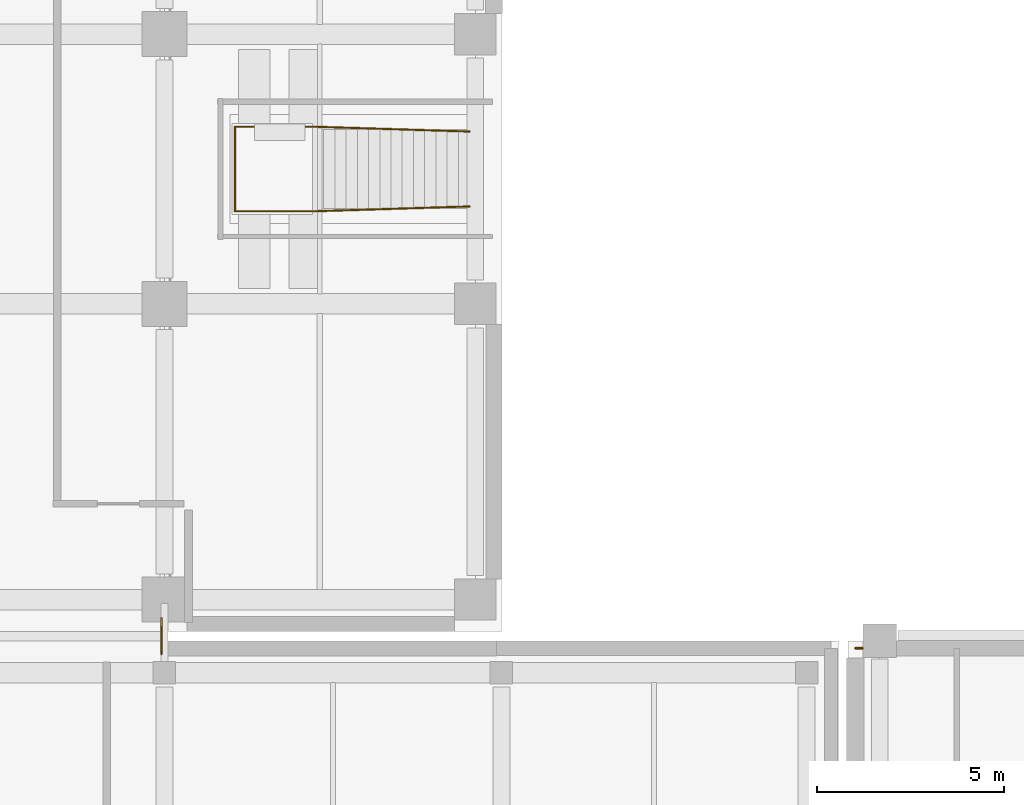
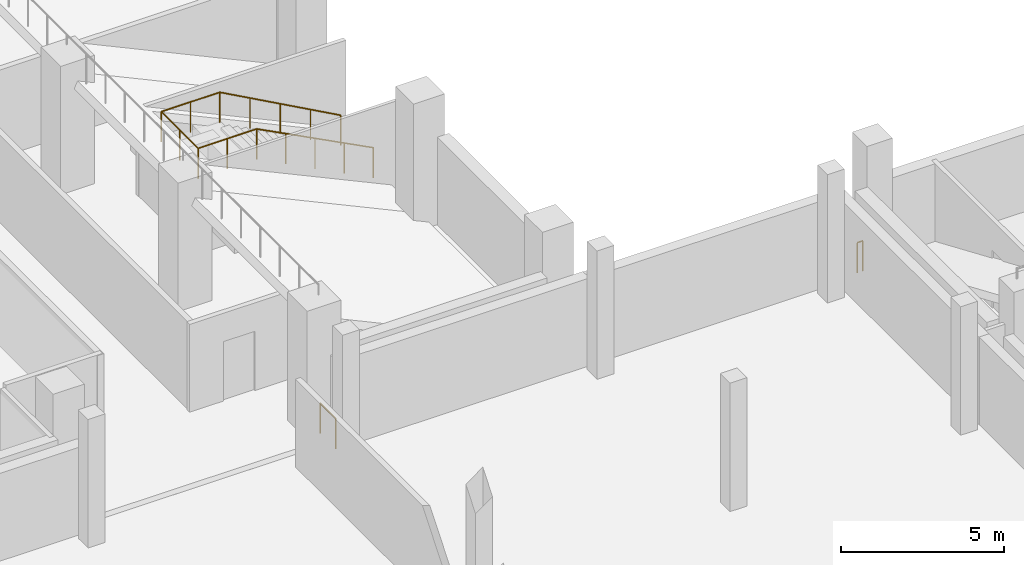
# One storey, part 78 of 100: 3 railings.
"""IFC4 building model written with IfcOpenShell, lengths in metres."""

import ifcopenshell
import ifcopenshell.guid

model = None  # the IFC model being written
_history = None  # IfcOwnerHistory: only IFC2X3 demands one
_inside = {}  # id of a spatial element -> (the spatial element, [elements in it])
_under = {}  # id of a project, library or spatial element -> (it, [spatial elements below it])
_declared = {}  # id of a project -> (the project, [libraries it declares])
_typed = {}  # id of a type object -> (the type object, [elements of that type])
_made_of = {}  # id of a material, layer set ... -> (it, [elements and type objects made of it])


def new_model(schema):
    """Start an empty IFC model of exactly this schema.

    Asked for "IFC4X3", IfcOpenShell would pick the latest addendum, in which some entities
    have other attributes; the version numbers below select the first issue.
    IFC2X3 requires an IfcOwnerHistory on every rooted entity: one is made here for all.
    """
    global model, _history
    if schema == "IFC4X3":
        model = ifcopenshell.file(schema_version=(4, 3, 0, 0))
    else:
        model = ifcopenshell.file(schema=schema)
    _inside.clear()
    _under.clear()
    _declared.clear()
    _typed.clear()
    _made_of.clear()
    _history = None
    if model.schema == "IFC2X3":
        org = make("IfcOrganization", Name="unknown")
        user = make(
            "IfcPersonAndOrganization",
            ThePerson=make("IfcPerson", FamilyName="unknown"),
            TheOrganization=org,
        )
        app = make(
            "IfcApplication",
            ApplicationDeveloper=org,
            Version="unknown",
            ApplicationFullName="unknown",
            ApplicationIdentifier="unknown",
        )
        _history = make(
            "IfcOwnerHistory",
            OwningUser=user,
            OwningApplication=app,
            ChangeAction="ADDED",
            CreationDate=0,
        )
    return model


def make(cls, **values):
    """One entity of the class cls with the attributes given. An attribute that is None is left unset."""
    return model.create_entity(
        cls, **{name: value for name, value in values.items() if value is not None}
    )


def rooted(cls, **values):
    """An entity with a GlobalId (a new one), such as an element, a storey or a relation."""
    return make(cls, GlobalId=ifcopenshell.guid.new(), OwnerHistory=_history, **values)


def si_unit(unit_type, name, prefix=None):
    """IfcSIUnit, for example si_unit("LENGTHUNIT", "METRE", prefix="MILLI")."""
    return make("IfcSIUnit", UnitType=unit_type, Prefix=prefix, Name=name)


def assignment(units):
    """IfcUnitAssignment: the units of a project."""
    return None if units is None else make("IfcUnitAssignment", Units=units)


def point(xyz):
    """IfcCartesianPoint."""
    return None if xyz is None else make("IfcCartesianPoint", Coordinates=xyz)


def direction(xyz):
    """IfcDirection."""
    return None if xyz is None else make("IfcDirection", DirectionRatios=xyz)


def frame(location, z_axis=None, x_axis=None):
    """IfcAxis2Placement3D, a coordinate frame: its origin and axes. An axis left out is left unset."""
    return make(
        "IfcAxis2Placement3D",
        Location=point(location),
        Axis=direction(z_axis),
        RefDirection=direction(x_axis),
    )


def frame_2d(location, x_axis=None):
    """IfcAxis2Placement2D, a coordinate frame in the plane: its origin and x axis."""
    return make(
        "IfcAxis2Placement2D", Location=point(location), RefDirection=direction(x_axis)
    )


def origin():
    """The frame at (0, 0, 0) with its axes left unset."""
    return frame((0.0, 0.0, 0.0))


def origin_2d():
    """The frame at (0, 0) in the plane with its x axis left unset."""
    return frame_2d((0.0, 0.0))


def place(relative_to, where):
    """IfcLocalPlacement: puts the frame where relative to a parent placement (None: the world)."""
    return make(
        "IfcLocalPlacement", PlacementRelTo=relative_to, RelativePlacement=where
    )


def context(
    kind, dimensions, precision=None, world=None, true_north=None, identifier=None
):
    """IfcGeometricRepresentationContext, for example the 3D "Model" context."""
    return make(
        "IfcGeometricRepresentationContext",
        ContextIdentifier=identifier,
        ContextType=kind,
        CoordinateSpaceDimension=dimensions,
        Precision=precision,
        WorldCoordinateSystem=world,
        TrueNorth=true_north,
    )


def subcontext(parent, identifier, kind, view, scale=None):
    """IfcGeometricRepresentationSubContext, for example "Body" below "Model"."""
    return make(
        "IfcGeometricRepresentationSubContext",
        ContextIdentifier=identifier,
        ContextType=kind,
        ParentContext=parent,
        TargetScale=scale,
        TargetView=view,
    )


def project(units=None, contexts=None):
    """IfcProject with its units and contexts."""
    return rooted(
        "IfcProject",
        Name="project",
        RepresentationContexts=contexts,
        UnitsInContext=assignment(units),
    )


def spatial(cls, under=None, at=None, **own):
    """A site, building, storey or space (cls), placed at a placement, below another one or the project."""
    s = rooted(cls, ObjectPlacement=at, **own)
    if under is not None:
        _under.setdefault(under.id(), (under, []))[1].append(s)
    return s


def profile(cls, at=None, kind="AREA", **sizes):
    """A parametric profile (cls). Its sizes go by their IFC names, for example OverallWidth=200.0."""
    return make(cls, ProfileType=kind, Position=at, **sizes)


def circle(**sizes):
    """IfcCircleProfileDef."""
    return profile("IfcCircleProfileDef", **sizes)


def extrude(swept, where, along, depth):
    """IfcExtrudedAreaSolid: the profile swept, set in the frame where, extruded along a direction by depth."""
    return make(
        "IfcExtrudedAreaSolid",
        SweptArea=swept,
        Position=where,
        ExtrudedDirection=direction(along),
        Depth=depth,
    )


def shape(context_of_items, identifier, shape_type, items):
    """IfcShapeRepresentation: the items that make up one representation, for example the "Body"."""
    return make(
        "IfcShapeRepresentation",
        ContextOfItems=context_of_items,
        RepresentationIdentifier=identifier,
        RepresentationType=shape_type,
        Items=items,
    )


def material(Name=None, Category=None):
    """IfcMaterial."""
    return make("IfcMaterial", Name=Name, Category=Category)


def made_of(thing, what):
    """Note that an element or type object is made of a material, layer set ...; save() writes the relation."""
    if what is not None:
        _made_of.setdefault(what.id(), (what, []))[1].append(thing)
    return thing


def type_object(cls, material=None, **own):
    """A type object (cls), such as IfcWallType, which elements share."""
    return made_of(rooted(cls, **own), material)


def element(
    cls,
    number,
    at=None,
    inside=None,
    cuts=None,
    type_object=None,
    material=None,
    context=None,
    identifier="Body",
    shape_type=None,
    held_by="IfcProductDefinitionShape",
    body=None,
    shapes=None,
    **own,
):
    """One element of the class cls, such as IfcWall. Its Tag is "e" and its number.

    at: its placement. inside: the storey or other place that contains it. cuts: it is an
    opening in that element (IfcRelVoidsElement). A single representation is given by context,
    identifier, shape_type and body (its items); several are given by shapes. held_by: the class
    of the entity that holds the representations. save() writes the other relations.
    """
    e = rooted(cls, Tag="e%d" % number, ObjectPlacement=at, **own)
    if body is not None:
        shapes = [shape(context, identifier, shape_type, body)]
    if shapes is not None:
        e.Representation = make(held_by, Representations=shapes)
    if inside is not None:
        _inside.setdefault(inside.id(), (inside, []))[1].append(e)
    if cuts is not None:
        rooted(
            "IfcRelVoidsElement", RelatingBuildingElement=cuts, RelatedOpeningElement=e
        )
    if type_object is not None:
        _typed.setdefault(type_object.id(), (type_object, []))[1].append(e)
    return made_of(e, material)


def aggregate(whole, parts):
    """IfcRelAggregates: a whole, such as a stair, and the parts it consists of."""
    return rooted("IfcRelAggregates", RelatingObject=whole, RelatedObjects=parts)


def save(model, path):
    """Write the relations noted so far, then the file.

    IfcRelAggregates (storeys below a building ...), IfcRelContainedInSpatialStructure (elements
    in a storey), IfcRelDefinesByType, IfcRelAssociatesMaterial and IfcRelDeclares: one each for
    every whole, place, type object, material and project.
    """
    for whole, parts in _under.values():
        aggregate(whole, parts)
    for where, things in _inside.values():
        rooted(
            "IfcRelContainedInSpatialStructure",
            RelatedElements=things,
            RelatingStructure=where,
        )
    for kind, things in _typed.values():
        rooted("IfcRelDefinesByType", RelatedObjects=things, RelatingType=kind)
    for what, things in _made_of.values():
        rooted("IfcRelAssociatesMaterial", RelatedObjects=things, RelatingMaterial=what)
    for by, libraries in _declared.values():
        rooted("IfcRelDeclares", RelatingContext=by, RelatedDefinitions=libraries)
    model.write(path)


model = new_model("IFC4")

# Units and contexts
model_context = context("Model", 3, precision=1e-05, world=origin(), true_north=direction((0.0, 1.0)))
body_context = subcontext(model_context, "Body", "Model", "MODEL_VIEW")
ifc_project = project(units=[si_unit("LENGTHUNIT", "METRE"), si_unit("AREAUNIT", "SQUARE_METRE"), si_unit("VOLUMEUNIT", "CUBIC_METRE"), si_unit("PLANEANGLEUNIT", "RADIAN"), si_unit("MASSUNIT", "GRAM", prefix="KILO"), si_unit("THERMODYNAMICTEMPERATUREUNIT", "KELVIN"), si_unit("POWERUNIT", "WATT")], contexts=[model_context])

# Site, building, storey
site_placement = place(None, origin())
site = spatial("IfcSite", under=ifc_project, at=site_placement, CompositionType="ELEMENT")
building_placement = place(site_placement, origin())
building = spatial("IfcBuilding", under=site, at=building_placement, Name="Sindhuravela Promenade Stadium", CompositionType="ELEMENT")
storey_placement = place(building_placement, frame((0.0, 0.0, 4.800048828125)))
storey = spatial("IfcBuildingStorey", under=building, at=storey_placement, Name="L01", CompositionType="ELEMENT", Elevation=4.800048828125)

# Railings
ifc_material = material(Name="Architectural wrought steel E350", Category="steel")
railing_type = type_object("IfcRailingType", Name="RL-GRD-1150", PredefinedType="GUARDRAIL", material=ifc_material)
railing_1_placement = place(storey_placement, frame((54.449951171875, 35.800048828125, 0.0)))
element("IfcRailing", 1, at=railing_1_placement, inside=storey, type_object=railing_type, Name="Perimeter edge return guard SOUTH L01", PredefinedType="GUARDRAIL", context=body_context, shape_type="SweptSolid", body=[
    extrude(circle(Radius=0.02392578125, at=origin_2d()), frame((0.0, 0.0, 1.1259765625), z_axis=(1.0, 0.0, 0.0), x_axis=(0.0, 1.0, 0.0)), (0.0, 0.0, 1.0), 0.195068359375),
    extrude(circle(Radius=0.02099609375, at=origin_2d()), origin(), (0.0, 0.0, 1.0), 1.101806640625),
    extrude(circle(Radius=0.02099609375, at=origin_2d()), frame((0.195068359375, 0.0, 0.0)), (0.0, 0.0, 1.0), 1.101806640625),
])
railing_2_placement = place(storey_placement, frame((35.919921875, 35.64990234375, 0.0)))
element("IfcRailing", 2, at=railing_2_placement, inside=storey, type_object=railing_type, Name="Bridge edge guardrail GR01-58", PredefinedType="GUARDRAIL", context=body_context, shape_type="SweptSolid", body=[
    extrude(circle(Radius=0.02392578125, at=origin_2d()), frame((0.0, 0.0, 1.1259765625), z_axis=(0.0, 1.0, 0.0), x_axis=(-1.0, 0.0, 0.0)), (0.0, 0.0, 1.0), 0.9501953125),
    extrude(circle(Radius=0.02099609375, at=origin_2d()), origin(), (0.0, 0.0, 1.0), 1.101806640625),
    extrude(circle(Radius=0.02099609375, at=origin_2d()), frame((0.0, 0.9501953125, 0.0)), (0.0, 0.0, 1.0), 1.101806640625),
])
railing_3_placement = place(storey_placement, frame((44.14990234375, 49.60009765625, 0.0)))
element("IfcRailing", 3, at=railing_3_placement, inside=storey, type_object=railing_type, Name="Vomitory VS01 flight & platform guard", PredefinedType="GUARDRAIL", context=body_context, shape_type="SweptSolid", body=[
    extrude(circle(Radius=0.02392578125, at=origin_2d()), frame((0.0, 0.0, 1.1259765625), z_axis=(-0.8811503615104481, 0.02724943279216174, 0.47205032445970413), x_axis=(-0.030910061871442473, -0.9995221698767385, 0.0)), (0.0, 0.0, 1.0), 4.766357421875),
    extrude(circle(Radius=0.02392578125, at=origin_2d()), frame((-4.199951171875, 0.1298828125, 3.3759765625), z_axis=(-1.0, 0.0, 0.0), x_axis=(0.0, -1.0, 0.0)), (0.0, 0.0, 1.0), 2.070068359375),
    extrude(circle(Radius=0.02392578125, at=origin_2d()), frame((-6.27001953125, 0.1298828125, 3.3759765625), z_axis=(0.0, -1.0, 0.0), x_axis=(1.0, 0.0, 0.0)), (0.0, 0.0, 1.0), 2.260009765625),
    extrude(circle(Radius=0.02392578125, at=origin_2d()), frame((-6.27001953125, -2.130126953125, 3.3759765625), z_axis=(1.0, 0.0, 0.0), x_axis=(0.0, 1.0, 0.0)), (0.0, 0.0, 1.0), 2.070068359375),
    extrude(circle(Radius=0.02392578125, at=origin_2d()), frame((-4.199951171875, -2.130126953125, 3.3759765625), z_axis=(0.8811491305038108, 0.027300615390253514, -0.4720496649841958), x_axis=(-0.03096810782289172, 0.9995203731279667, 0.0)), (0.0, 0.0, 1.0), 4.766357421875),
    extrude(circle(Radius=0.02099609375, at=origin_2d()), origin(), (0.0, 0.0, 1.0), 1.101806640625),
    extrude(circle(Radius=0.02099609375, at=origin_2d()), frame((-1.050048828125, 0.032470703125, 0.5625)), (0.0, 0.0, 1.0), 1.101806640625),
    extrude(circle(Radius=0.02099609375, at=origin_2d()), frame((-2.10009765625, 0.06494140625, 1.125)), (0.0, 0.0, 1.0), 1.101806640625),
    extrude(circle(Radius=0.02099609375, at=origin_2d()), frame((-3.14990234375, 0.097412109375, 1.6875)), (0.0, 0.0, 1.0), 1.101806640625),
    extrude(circle(Radius=0.02099609375, at=origin_2d()), frame((-4.199951171875, 0.1298828125, 2.25)), (0.0, 0.0, 1.0), 1.101806640625),
    extrude(circle(Radius=0.02099609375, at=origin_2d()), frame((-5.23486328125, 0.1298828125, 2.25)), (0.0, 0.0, 1.0), 1.101806640625),
    extrude(circle(Radius=0.02099609375, at=origin_2d()), frame((-6.27001953125, 0.1298828125, 2.25)), (0.0, 0.0, 1.0), 1.101806640625),
    extrude(circle(Radius=0.02099609375, at=origin_2d()), frame((-6.27001953125, -1.0, 2.25)), (0.0, 0.0, 1.0), 1.101806640625),
    extrude(circle(Radius=0.02099609375, at=origin_2d()), frame((-6.27001953125, -2.130126953125, 2.25)), (0.0, 0.0, 1.0), 1.101806640625),
    extrude(circle(Radius=0.02099609375, at=origin_2d()), frame((-5.23486328125, -2.130126953125, 2.25)), (0.0, 0.0, 1.0), 1.101806640625),
    extrude(circle(Radius=0.02099609375, at=origin_2d()), frame((-4.199951171875, -2.130126953125, 2.25)), (0.0, 0.0, 1.0), 1.101806640625),
    extrude(circle(Radius=0.02099609375, at=origin_2d()), frame((-3.14990234375, -2.09765625, 1.6875)), (0.0, 0.0, 1.0), 1.101806640625),
    extrude(circle(Radius=0.02099609375, at=origin_2d()), frame((-2.10009765625, -2.06494140625, 1.125)), (0.0, 0.0, 1.0), 1.101806640625),
    extrude(circle(Radius=0.02099609375, at=origin_2d()), frame((-1.050048828125, -2.032470703125, 0.5625)), (0.0, 0.0, 1.0), 1.101806640625),
    extrude(circle(Radius=0.02099609375, at=origin_2d()), frame((0.0, -2.0, 0.0)), (0.0, 0.0, 1.0), 1.101806640625),
])

save(model, "model.ifc")
